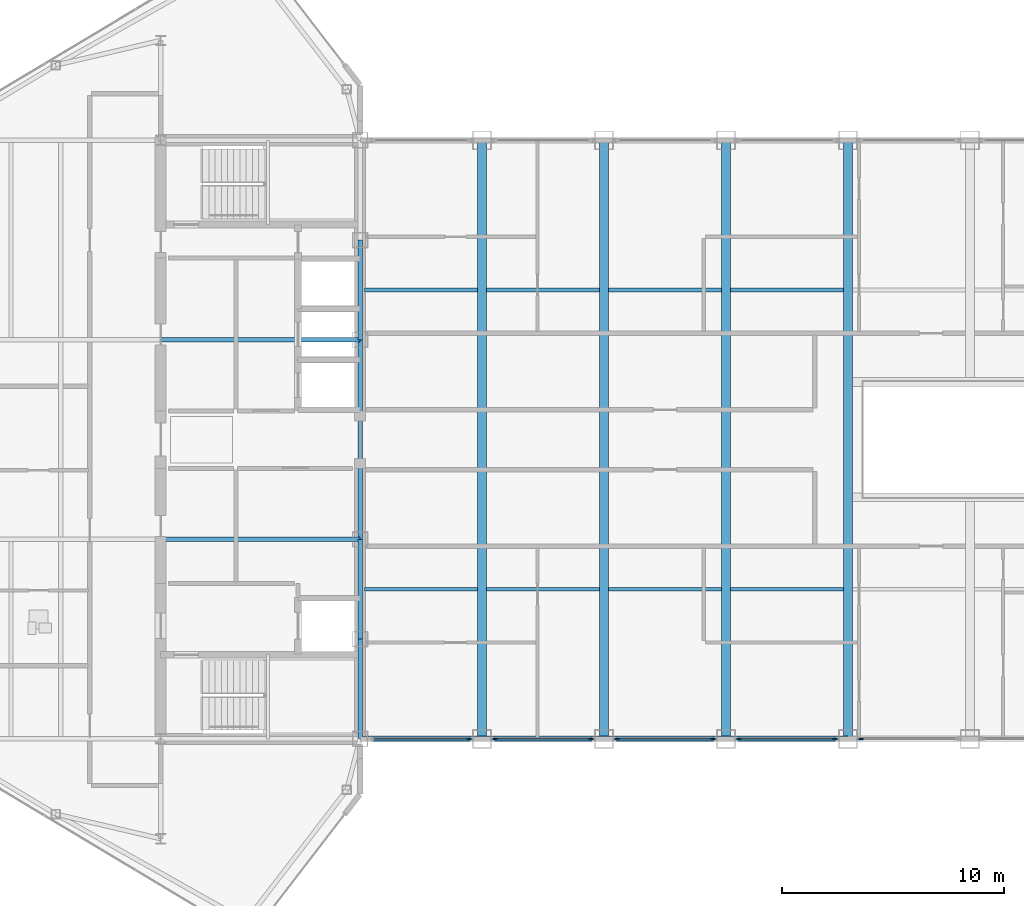
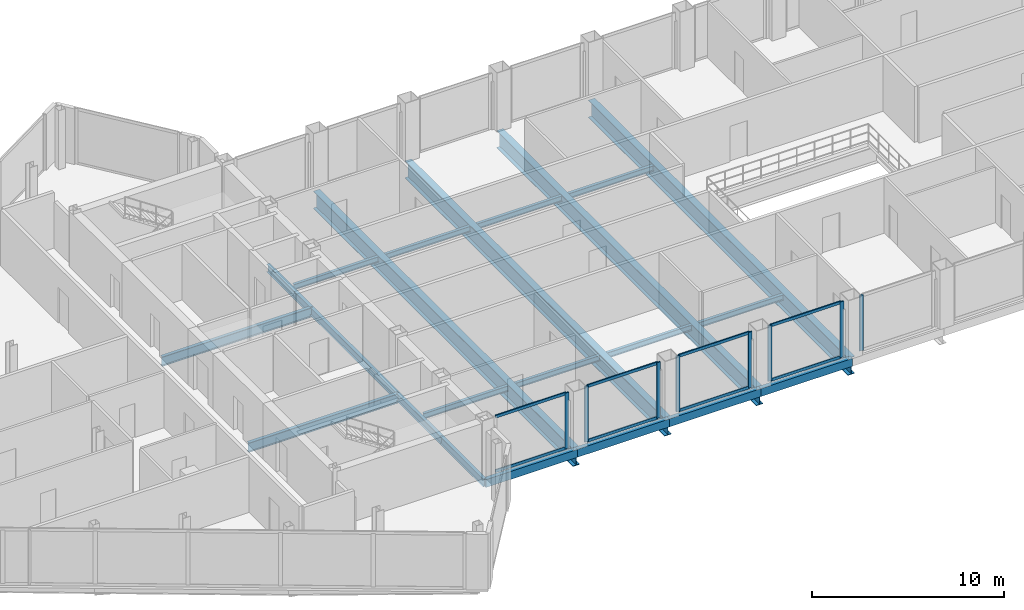
# One storey, part 10 of 29: 22 beams, 16 members, 5 elements without a shape of their own.
"""IFC4 building model written with IfcOpenShell, lengths in metres."""

from ifc_helpers import new_model, si_unit, direction, frame, origin, origin_2d, place, context, subcontext, project, spatial, rectangle, hollow_rectangle, i_section, extrude, source, transform, mapped, material, layer, layer_set, material_profile, profile_set, type_object, type_shapes, element, aggregate, save


model = new_model("IFC4")

# Units and contexts
model_context = context("Model", 3, precision=1e-05, world=origin(), true_north=direction((0.0, 1.0)))
body_context = subcontext(model_context, "Body", "Model", "MODEL_VIEW")
ifc_project = project(units=[si_unit("LENGTHUNIT", "METRE"), si_unit("AREAUNIT", "SQUARE_METRE"), si_unit("VOLUMEUNIT", "CUBIC_METRE"), si_unit("PLANEANGLEUNIT", "RADIAN"), si_unit("MASSUNIT", "GRAM", prefix="KILO")], contexts=[model_context])

# Site, building, storey
site_placement = place(None, origin())
site = spatial("IfcSite", under=ifc_project, at=site_placement, CompositionType="ELEMENT")
building_placement = place(site_placement, origin())
building = spatial("IfcBuilding", under=site, at=building_placement, Name="Seokmaru Belvedere", CompositionType="ELEMENT")
storey_placement = place(building_placement, frame((0.0, 0.0, 250.64990234375)))
storey = spatial("IfcBuildingStorey", under=building, at=storey_placement, Name="L66", CompositionType="ELEMENT", Elevation=250.64990234375)

# Beams
ifc_material_1 = material(Name="Steel SM355 (355 MPa)", Category="steel")
ifc_material_profile_1 = material_profile(ifc_material_1, i_section(OverallWidth=0.199951171875, OverallDepth=0.5, WebThickness=0.010009765625, FlangeThickness=0.01611328125, at=origin_2d()), Name="H-500x200x10x16")
ifc_profile_set_1 = profile_set([ifc_material_profile_1], Name="Steel SM355 (355 MPa)")
beam_type_1 = type_object("IfcBeamType", Name="Perimeter Spandrel Beam H-500", PredefinedType="SPANDREL", material=ifc_profile_set_1)
shared_shape_1 = source(origin(), body_context, "Body", "SweptSolid", [
    extrude(i_section(OverallWidth=0.199951171875, OverallDepth=0.5, WebThickness=0.010009765625, FlangeThickness=0.01611328125, at=origin_2d()), origin(), (0.0, 0.0, 1.0), 4.5),
])
for number, where, z_axis, x_axis, name in (
    (1, (-27.5, -13.5, -0.469970703125), (0.0, 1.0, 0.0), (-1.0, 0.0, 0.0), "L66 W Portal Spine Spandrel 1"),
    (2, (-27.5, -9.0, -0.469970703125), (0.0, 1.0, 0.0), (-1.0, 0.0, 0.0), "L66 W Portal Spine Spandrel 2"),
    (3, (-27.5, 4.5, -0.469970703125), (0.0, 1.0, 0.0), (-1.0, 0.0, 0.0), "L66 W Portal Spine Spandrel 4"),
):
    element("IfcBeam", number, at=place(storey_placement, frame(where, z_axis=z_axis, x_axis=x_axis)), inside=storey, type_object=beam_type_1, Name=name, PredefinedType="SPANDREL", context=body_context, shape_type="MappedRepresentation", body=[
        mapped(shared_shape_1, transform((0.0, 0.0, 0.0), scale=1.0)),
    ])
shared_shape_2 = source(origin(), body_context, "Body", "SweptSolid", [
    extrude(i_section(OverallWidth=0.199951171875, OverallDepth=0.5, WebThickness=0.010009765625, FlangeThickness=0.01611328125, at=origin_2d()), origin(), (0.0, 0.0, 1.0), 9.0),
])
type_shapes(beam_type_1, [shared_shape_1, shared_shape_2])
beam_placement = place(storey_placement, frame((-27.5, -4.5, -0.469970703125), z_axis=(0.0, 1.0, 0.0), x_axis=(-1.0, 0.0, 0.0)))
element("IfcBeam", 4, at=beam_placement, inside=storey, type_object=beam_type_1, Name="L66 W Portal Spine Spandrel 3", PredefinedType="SPANDREL", context=body_context, shape_type="MappedRepresentation", body=[
    mapped(shared_shape_2, transform((0.0, 0.0, 0.0), scale=1.0)),
])
ifc_material_profile_2 = material_profile(ifc_material_1, i_section(OverallWidth=0.199951171875, OverallDepth=0.60009765625, WebThickness=0.010986328125, FlangeThickness=0.01708984375, at=origin_2d()), Name="H-600x200x11x17")
ifc_profile_set_2 = profile_set([ifc_material_profile_2], Name="Steel SM355 (355 MPa)")
beam_type_2 = type_object("IfcBeamType", Name="Primary Floor Girder H-600", PredefinedType="BEAM", material=ifc_profile_set_2)
shared_shape_3 = source(origin(), body_context, "Body", "SweptSolid", [
    extrude(i_section(OverallWidth=0.199951171875, OverallDepth=0.60009765625, WebThickness=0.010986328125, FlangeThickness=0.01708984375, at=origin_2d()), origin(), (0.0, 0.0, 1.0), 9.0),
])
type_shapes(beam_type_2, [shared_shape_3])
for number, where, z_axis, x_axis, name in (
    (5, (-36.5, -4.5, -0.52001953125), (1.0, 0.0, 0.0), (0.0, 1.0, 0.0), "L66 W Core Tie Girder 2"),
    (6, (-36.5, 4.5, -0.52001953125), (1.0, 0.0, 0.0), (0.0, 1.0, 0.0), "L66 W Core Tie Girder 3"),
):
    element("IfcBeam", number, at=place(storey_placement, frame(where, z_axis=z_axis, x_axis=x_axis)), inside=storey, type_object=beam_type_2, Name=name, PredefinedType="BEAM", context=body_context, shape_type="MappedRepresentation", body=[
        mapped(shared_shape_3, transform((0.0, 0.0, 0.0), scale=1.0)),
    ])
ifc_material_profile_3 = material_profile(ifc_material_1, i_section(OverallWidth=0.39990234375, OverallDepth=1.10009765625, WebThickness=0.02001953125, FlangeThickness=0.033935546875, at=origin_2d()), Name="BH-1100x400x20x34")
ifc_profile_set_3 = profile_set([ifc_material_profile_3], Name="Steel SM355 (355 MPa)")
beam_type_3 = type_object("IfcBeamType", Name="Sky-Gate Transverse Girder BH-1100", PredefinedType="BEAM", material=ifc_profile_set_3)
shared_shape_4 = source(origin(), body_context, "Body", "SweptSolid", [
    extrude(i_section(OverallWidth=0.39990234375, OverallDepth=1.10009765625, WebThickness=0.02001953125, FlangeThickness=0.033935546875, at=origin_2d()), origin(), (0.0, 0.0, 1.0), 27.0),
])
type_shapes(beam_type_3, [shared_shape_4])
for number, where, z_axis, x_axis, name in (
    (7, (-22.0, -13.5, -0.77001953125), (0.0, 1.0, 0.0), (-1.0, 0.0, 0.0), "L66 Sky-Gate Transverse Girder 01"),
    (8, (-16.5, -13.5, -0.77001953125), (0.0, 1.0, 0.0), (-1.0, 0.0, 0.0), "L66 Sky-Gate Transverse Girder 02"),
    (9, (-11.0, -13.5, -0.77001953125), (0.0, 1.0, 0.0), (-1.0, 0.0, 0.0), "L66 Sky-Gate Transverse Girder 03"),
    (10, (-5.5, -13.5, -0.77001953125), (0.0, 1.0, 0.0), (-1.0, 0.0, 0.0), "L66 Sky-Gate Transverse Girder 04"),
):
    element("IfcBeam", number, at=place(storey_placement, frame(where, z_axis=z_axis, x_axis=x_axis)), inside=storey, type_object=beam_type_3, Name=name, PredefinedType="BEAM", context=body_context, shape_type="MappedRepresentation", body=[
        mapped(shared_shape_4, transform((0.0, 0.0, 0.0), scale=1.0)),
    ])
ifc_material_profile_4 = material_profile(ifc_material_1, i_section(OverallWidth=0.175048828125, OverallDepth=0.35009765625, WebThickness=0.007080078125, FlangeThickness=0.010986328125, at=origin_2d()), Name="H-350x175x7x11")
ifc_profile_set_4 = profile_set([ifc_material_profile_4], Name="Steel SM355 (355 MPa)")
beam_type_4 = type_object("IfcBeamType", Name="Secondary Floor Joist H-300", PredefinedType="JOIST", material=ifc_profile_set_4)
shared_shape_5 = source(origin(), body_context, "Body", "SweptSolid", [
    extrude(i_section(OverallWidth=0.175048828125, OverallDepth=0.35009765625, WebThickness=0.007080078125, FlangeThickness=0.010986328125, at=origin_2d()), origin(), (0.0, 0.0, 1.0), 5.08984375),
])
type_shapes(beam_type_4, [shared_shape_5])
for number, where, z_axis, x_axis, name in (
    (11, (-27.294921875, -6.75, -0.39501953125), (1.0, 0.0, 0.0), (0.0, 1.0, 0.0), "L66 Sky-Gate Secondary Joist S-01"),
    (12, (-21.794921875, -6.75, -0.39501953125), (1.0, 0.0, 0.0), (0.0, 1.0, 0.0), "L66 Sky-Gate Secondary Joist S-02"),
    (13, (-16.294921875, -6.75, -0.39501953125), (1.0, 0.0, 0.0), (0.0, 1.0, 0.0), "L66 Sky-Gate Secondary Joist S-03"),
    (14, (-10.794921875, -6.75, -0.39501953125), (1.0, 0.0, 0.0), (0.0, 1.0, 0.0), "L66 Sky-Gate Secondary Joist S-04"),
    (15, (-27.294921875, 6.75, -0.39501953125), (1.0, 0.0, 0.0), (0.0, 1.0, 0.0), "L66 Sky-Gate Secondary Joist N-01"),
    (16, (-21.794921875, 6.75, -0.39501953125), (1.0, 0.0, 0.0), (0.0, 1.0, 0.0), "L66 Sky-Gate Secondary Joist N-02"),
    (17, (-16.294921875, 6.75, -0.39501953125), (1.0, 0.0, 0.0), (0.0, 1.0, 0.0), "L66 Sky-Gate Secondary Joist N-03"),
    (18, (-10.794921875, 6.75, -0.39501953125), (1.0, 0.0, 0.0), (0.0, 1.0, 0.0), "L66 Sky-Gate Secondary Joist N-04"),
):
    element("IfcBeam", number, at=place(storey_placement, frame(where, z_axis=z_axis, x_axis=x_axis)), inside=storey, type_object=beam_type_4, Name=name, PredefinedType="JOIST", context=body_context, shape_type="MappedRepresentation", body=[
        mapped(shared_shape_5, transform((0.0, 0.0, 0.0), scale=1.0)),
    ])
ifc_material_profile_5 = material_profile(ifc_material_1, hollow_rectangle(XDim=0.25, YDim=0.5, WallThickness=0.013916015625, at=origin_2d()), Name="RHS-500x250x14")
ifc_profile_set_5 = profile_set([ifc_material_profile_5], Name="Steel SM355 (355 MPa)")
beam_type_5 = type_object("IfcBeamType", Name="Bridge Edge Spandrel RHS-500", PredefinedType="SPANDREL", material=ifc_profile_set_5)
shared_shape_6 = source(origin(), body_context, "Body", "SweptSolid", [
    extrude(hollow_rectangle(XDim=0.25, YDim=0.5, WallThickness=0.013916015625, at=origin_2d()), origin(), (0.0, 0.0, 1.0), 5.5),
])
type_shapes(beam_type_5, [shared_shape_6])
for number, where, z_axis, x_axis, name in (
    (19, (-27.5, -13.5, -0.469970703125), (1.0, 0.0, 0.0), (0.0, 1.0, 0.0), "L66 Sky-Gate Bridge Edge Girder S-01"),
    (20, (-22.0, -13.5, -0.469970703125), (1.0, 0.0, 0.0), (0.0, 1.0, 0.0), "L66 Sky-Gate Bridge Edge Girder S-02"),
    (21, (-16.5, -13.5, -0.469970703125), (1.0, 0.0, 0.0), (0.0, 1.0, 0.0), "L66 Sky-Gate Bridge Edge Girder S-03"),
    (22, (-11.0, -13.5, -0.469970703125), (1.0, 0.0, 0.0), (0.0, 1.0, 0.0), "L66 Sky-Gate Bridge Edge Girder S-04"),
):
    element("IfcBeam", number, at=place(storey_placement, frame(where, z_axis=z_axis, x_axis=x_axis)), inside=storey, type_object=beam_type_5, Name=name, PredefinedType="SPANDREL", context=body_context, shape_type="MappedRepresentation", body=[
        mapped(shared_shape_6, transform((0.0, 0.0, 0.0), scale=1.0)),
    ])

# Curtain wall, members
ifc_material_2 = material(Name="Bronze Triple Insulating Glass", Category="glass")
ifc_layer = layer(ifc_material_2, 0.219970703125)
ifc_layer_set = layer_set([ifc_layer], Name="Bronze Triple Insulating Glass")
curtain_wall_type = type_object("IfcCurtainWallType", Name="Sky-Gate Bridge Panorama Curtain Wall System CW-6", PredefinedType="NOTDEFINED", material=ifc_layer_set)
curtain_wall_1_placement = place(storey_placement, origin())
curtain_wall_1 = element("IfcCurtainWall", 23, at=curtain_wall_1_placement, inside=storey, type_object=curtain_wall_type, Name="L66 Curtain Wall BR_S01", PredefinedType="NOTDEFINED")
ifc_material_3 = material(Name="Anodised Bronze Aluminium", Category="aluminium")
ifc_material_profile_6 = material_profile(ifc_material_3, rectangle(XDim=0.074951171875, YDim=0.179931640625, at=origin_2d()), Name="CW-T-75x180")
ifc_profile_set_6 = profile_set([ifc_material_profile_6], Name="Anodised Bronze Aluminium")
member_type_1 = type_object("IfcMemberType", Name="Bronze Unitised Transom 75x180", PredefinedType="USERDEFINED", material=ifc_profile_set_6)
shared_shape_7 = source(origin(), body_context, "Body", "SweptSolid", [
    extrude(rectangle(XDim=0.074951171875, YDim=0.179931640625, at=origin_2d()), origin(), (0.0, 0.0, 1.0), 4.240234375),
])
type_shapes(member_type_1, [shared_shape_7])
member_1_placement = place(storey_placement, frame((-26.8701171875, -13.5, 0.03759765625), z_axis=(1.0, 0.0, 0.0), x_axis=(0.0, 1.0, 0.0)))
member_1 = element("IfcMember", 24, at=member_1_placement, type_object=member_type_1, Name="CW:L66:BR_S01 Continuous Transom 1", ObjectType="TRANSOM", PredefinedType="USERDEFINED", context=body_context, shape_type="MappedRepresentation", body=[
    mapped(shared_shape_7, transform((0.0, 0.0, 0.0), scale=1.0)),
])
member_2_placement = place(storey_placement, frame((-26.8701171875, -13.5, 3.49267578125), z_axis=(1.0, 0.0, 0.0), x_axis=(0.0, 1.0, 0.0)))
member_2 = element("IfcMember", 25, at=member_2_placement, type_object=member_type_1, Name="CW:L66:BR_S01 Continuous Transom 2", ObjectType="TRANSOM", PredefinedType="USERDEFINED", context=body_context, shape_type="MappedRepresentation", body=[
    mapped(shared_shape_7, transform((0.0, 0.0, 0.0), scale=1.0)),
])

curtain_wall_2_placement = place(storey_placement, origin())
curtain_wall_2 = element("IfcCurtainWall", 26, at=curtain_wall_2_placement, inside=storey, type_object=curtain_wall_type, Name="L66 Curtain Wall BR_S02", PredefinedType="NOTDEFINED")
member_3_placement = place(storey_placement, frame((-21.3701171875, -13.5, 0.03759765625), z_axis=(1.0, 0.0, 0.0), x_axis=(0.0, 1.0, 0.0)))
member_3 = element("IfcMember", 27, at=member_3_placement, type_object=member_type_1, Name="CW:L66:BR_S02 Continuous Transom 1", ObjectType="TRANSOM", PredefinedType="USERDEFINED", context=body_context, shape_type="MappedRepresentation", body=[
    mapped(shared_shape_7, transform((0.0, 0.0, 0.0), scale=1.0)),
])
member_4_placement = place(storey_placement, frame((-21.3701171875, -13.5, 3.49267578125), z_axis=(1.0, 0.0, 0.0), x_axis=(0.0, 1.0, 0.0)))
member_4 = element("IfcMember", 28, at=member_4_placement, type_object=member_type_1, Name="CW:L66:BR_S02 Continuous Transom 2", ObjectType="TRANSOM", PredefinedType="USERDEFINED", context=body_context, shape_type="MappedRepresentation", body=[
    mapped(shared_shape_7, transform((0.0, 0.0, 0.0), scale=1.0)),
])

curtain_wall_3_placement = place(storey_placement, origin())
curtain_wall_3 = element("IfcCurtainWall", 29, at=curtain_wall_3_placement, inside=storey, type_object=curtain_wall_type, Name="L66 Curtain Wall BR_S03", PredefinedType="NOTDEFINED")
member_5_placement = place(storey_placement, frame((-15.8701171875, -13.5, 0.03759765625), z_axis=(1.0, 0.0, 0.0), x_axis=(0.0, 1.0, 0.0)))
member_5 = element("IfcMember", 30, at=member_5_placement, type_object=member_type_1, Name="CW:L66:BR_S03 Continuous Transom 1", ObjectType="TRANSOM", PredefinedType="USERDEFINED", context=body_context, shape_type="MappedRepresentation", body=[
    mapped(shared_shape_7, transform((0.0, 0.0, 0.0), scale=1.0)),
])
member_6_placement = place(storey_placement, frame((-15.8701171875, -13.5, 3.49267578125), z_axis=(1.0, 0.0, 0.0), x_axis=(0.0, 1.0, 0.0)))
member_6 = element("IfcMember", 31, at=member_6_placement, type_object=member_type_1, Name="CW:L66:BR_S03 Continuous Transom 2", ObjectType="TRANSOM", PredefinedType="USERDEFINED", context=body_context, shape_type="MappedRepresentation", body=[
    mapped(shared_shape_7, transform((0.0, 0.0, 0.0), scale=1.0)),
])

curtain_wall_4_placement = place(storey_placement, origin())
curtain_wall_4 = element("IfcCurtainWall", 32, at=curtain_wall_4_placement, inside=storey, type_object=curtain_wall_type, Name="L66 Curtain Wall BR_S04", PredefinedType="NOTDEFINED")
member_7_placement = place(storey_placement, frame((-10.3701171875, -13.5, 0.03759765625), z_axis=(1.0, 0.0, 0.0), x_axis=(0.0, 1.0, 0.0)))
member_7 = element("IfcMember", 33, at=member_7_placement, type_object=member_type_1, Name="CW:L66:BR_S04 Continuous Transom 1", ObjectType="TRANSOM", PredefinedType="USERDEFINED", context=body_context, shape_type="MappedRepresentation", body=[
    mapped(shared_shape_7, transform((0.0, 0.0, 0.0), scale=1.0)),
])
member_8_placement = place(storey_placement, frame((-10.3701171875, -13.5, 3.49267578125), z_axis=(1.0, 0.0, 0.0), x_axis=(0.0, 1.0, 0.0)))
member_8 = element("IfcMember", 34, at=member_8_placement, type_object=member_type_1, Name="CW:L66:BR_S04 Continuous Transom 2", ObjectType="TRANSOM", PredefinedType="USERDEFINED", context=body_context, shape_type="MappedRepresentation", body=[
    mapped(shared_shape_7, transform((0.0, 0.0, 0.0), scale=1.0)),
])

# Member
ifc_material_profile_7 = material_profile(ifc_material_3, rectangle(XDim=0.080078125, YDim=0.219970703125, at=origin_2d()), Name="CW-M-80x220")
ifc_profile_set_7 = profile_set([ifc_material_profile_7], Name="Anodised Bronze Aluminium")
member_type_2 = type_object("IfcMemberType", Name="Bronze Unitised Mullion 80x220", PredefinedType="MULLION", material=ifc_profile_set_7)
shared_shape_8 = source(origin(), body_context, "Body", "SweptSolid", [
    extrude(rectangle(XDim=0.080078125, YDim=0.219970703125, at=origin_2d()), origin(), (0.0, 0.0, 1.0), 3.530029296875),
])
type_shapes(member_type_2, [shared_shape_8])
member_9_placement = place(storey_placement, frame((-22.590087890625, -13.5, 0.0), z_axis=(0.0, 0.0, 1.0), x_axis=(0.0, 1.0, 0.0)))
member_9 = element("IfcMember", 35, at=member_9_placement, type_object=member_type_2, Name="CW:L66:BR_S01 Mullion 2", PredefinedType="MULLION", context=body_context, shape_type="MappedRepresentation", body=[
    mapped(shared_shape_8, transform((0.0, 0.0, 0.0), scale=1.0)),
])

aggregate(curtain_wall_1, [member_9, member_1, member_2])

member_10_placement = place(storey_placement, frame((-21.409912109375, -13.5, 0.0), z_axis=(0.0, 0.0, 1.0), x_axis=(0.0, 1.0, 0.0)))
member_10 = element("IfcMember", 36, at=member_10_placement, type_object=member_type_2, Name="CW:L66:BR_S02 Mullion 1", PredefinedType="MULLION", context=body_context, shape_type="MappedRepresentation", body=[
    mapped(shared_shape_8, transform((0.0, 0.0, 0.0), scale=1.0)),
])

member_11_placement = place(storey_placement, frame((-17.090087890625, -13.5, 0.0), z_axis=(0.0, 0.0, 1.0), x_axis=(0.0, 1.0, 0.0)))
member_11 = element("IfcMember", 37, at=member_11_placement, type_object=member_type_2, Name="CW:L66:BR_S02 Mullion 2", PredefinedType="MULLION", context=body_context, shape_type="MappedRepresentation", body=[
    mapped(shared_shape_8, transform((0.0, 0.0, 0.0), scale=1.0)),
])

aggregate(curtain_wall_2, [member_10, member_11, member_3, member_4])

member_12_placement = place(storey_placement, frame((-15.909912109375, -13.5, 0.0), z_axis=(0.0, 0.0, 1.0), x_axis=(0.0, 1.0, 0.0)))
member_12 = element("IfcMember", 38, at=member_12_placement, type_object=member_type_2, Name="CW:L66:BR_S03 Mullion 1", PredefinedType="MULLION", context=body_context, shape_type="MappedRepresentation", body=[
    mapped(shared_shape_8, transform((0.0, 0.0, 0.0), scale=1.0)),
])

member_13_placement = place(storey_placement, frame((-11.590087890625, -13.5, 0.0), z_axis=(0.0, 0.0, 1.0), x_axis=(0.0, 1.0, 0.0)))
member_13 = element("IfcMember", 39, at=member_13_placement, type_object=member_type_2, Name="CW:L66:BR_S03 Mullion 2", PredefinedType="MULLION", context=body_context, shape_type="MappedRepresentation", body=[
    mapped(shared_shape_8, transform((0.0, 0.0, 0.0), scale=1.0)),
])

aggregate(curtain_wall_3, [member_12, member_13, member_5, member_6])

member_14_placement = place(storey_placement, frame((-10.409912109375, -13.5, 0.0), z_axis=(0.0, 0.0, 1.0), x_axis=(0.0, 1.0, 0.0)))
member_14 = element("IfcMember", 40, at=member_14_placement, type_object=member_type_2, Name="CW:L66:BR_S04 Mullion 1", PredefinedType="MULLION", context=body_context, shape_type="MappedRepresentation", body=[
    mapped(shared_shape_8, transform((0.0, 0.0, 0.0), scale=1.0)),
])

member_15_placement = place(storey_placement, frame((-6.090087890625, -13.5, 0.0), z_axis=(0.0, 0.0, 1.0), x_axis=(0.0, 1.0, 0.0)))
member_15 = element("IfcMember", 41, at=member_15_placement, type_object=member_type_2, Name="CW:L66:BR_S04 Mullion 2", PredefinedType="MULLION", context=body_context, shape_type="MappedRepresentation", body=[
    mapped(shared_shape_8, transform((0.0, 0.0, 0.0), scale=1.0)),
])

aggregate(curtain_wall_4, [member_14, member_15, member_7, member_8])

# Curtain wall, member
curtain_wall_5_placement = place(storey_placement, origin())
curtain_wall_5 = element("IfcCurtainWall", 42, at=curtain_wall_5_placement, inside=storey, type_object=curtain_wall_type, Name="L66 Curtain Wall BR_S05", PredefinedType="NOTDEFINED")
member_16_placement = place(storey_placement, frame((-4.909912109375, -13.5, 0.0), z_axis=(0.0, 0.0, 1.0), x_axis=(0.0, 1.0, 0.0)))
member_16 = element("IfcMember", 43, at=member_16_placement, type_object=member_type_2, Name="CW:L66:BR_S05 Mullion 1", PredefinedType="MULLION", context=body_context, shape_type="MappedRepresentation", body=[
    mapped(shared_shape_8, transform((0.0, 0.0, 0.0), scale=1.0)),
])
aggregate(curtain_wall_5, [member_16])

save(model, "model.ifc")
